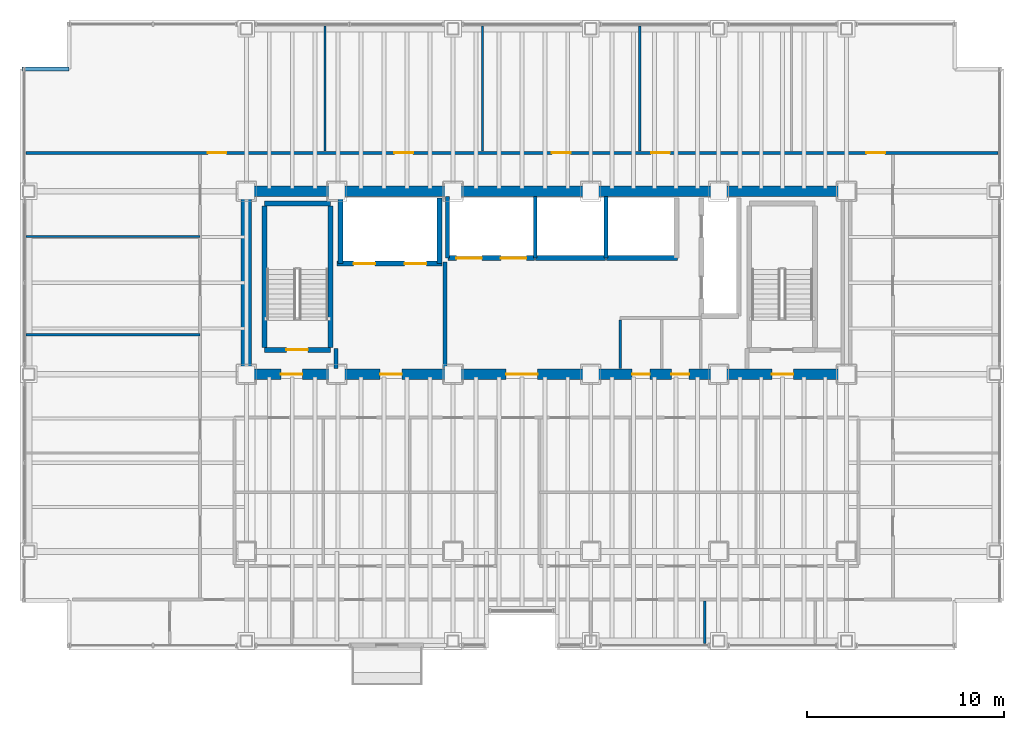
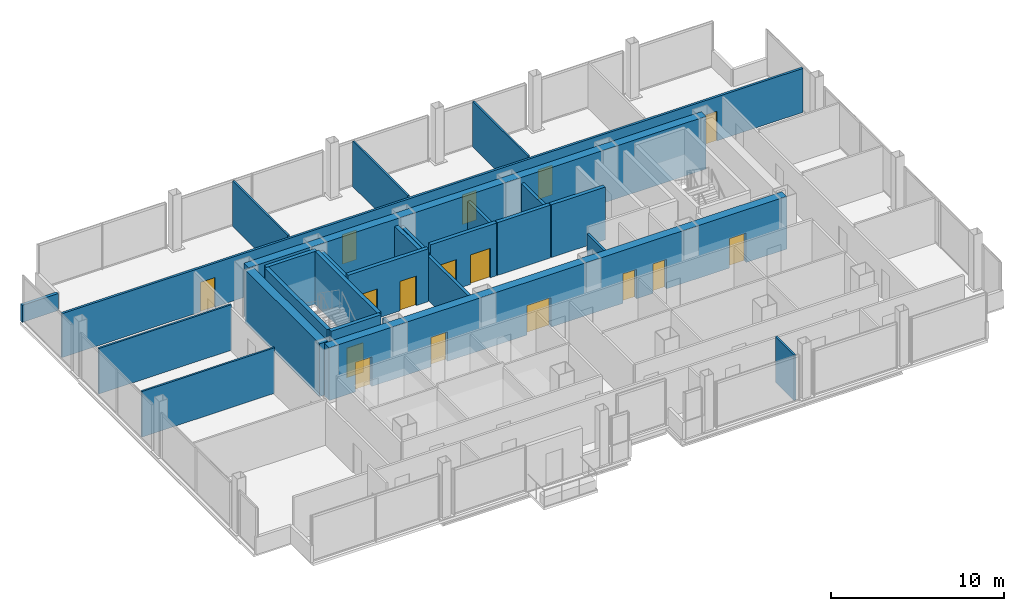
# One storey, part 19 of 21: 27 walls, 16 doors, 16 openings.
"""IFC4 building model written with IfcOpenShell, lengths in metres."""

from ifc_helpers import new_model, si_unit, direction, frame, frame_2d, origin, place, context, subcontext, project, spatial, rectangle, extrude, material, layer, layer_set, type_object, element, fill, save


model = new_model("IFC4")

# Units and contexts
model_context = context("Model", 3, precision=1e-05, world=origin(), true_north=direction((0.0, 1.0)))
body_context = subcontext(model_context, "Body", "Model", "MODEL_VIEW")
ifc_project = project(units=[si_unit("LENGTHUNIT", "METRE"), si_unit("AREAUNIT", "SQUARE_METRE"), si_unit("VOLUMEUNIT", "CUBIC_METRE"), si_unit("PLANEANGLEUNIT", "RADIAN"), si_unit("MASSUNIT", "GRAM", prefix="KILO")], contexts=[model_context])

# Site, building, storey
site_placement = place(None, origin())
site = spatial("IfcSite", under=ifc_project, at=site_placement, CompositionType="ELEMENT")
building_placement = place(site_placement, origin())
building = spatial("IfcBuilding", under=site, at=building_placement, Name="Noeulbin Bourse Tower", CompositionType="ELEMENT")
storey_placement = place(building_placement, frame((0.0, 0.0, 30.39990234375)))
storey = spatial("IfcBuildingStorey", under=building, at=storey_placement, Name="L07", CompositionType="ELEMENT", Elevation=30.39990234375)

# Wall, openings, doors
ifc_material_1 = material(Name="Concrete C60/75", Category="concrete")
ifc_layer_1 = layer(ifc_material_1, 0.550048828125)
ifc_layer_set_1 = layer_set([ifc_layer_1], Name="Concrete C60/75")
wall_type_1 = type_object("IfcWallType", Name="WAL-CORE-550", PredefinedType="SHEAR", material=ifc_layer_set_1)
wall_1_placement = place(storey_placement, frame((13.5, 29.0, 0.0), z_axis=(0.0, 0.0, 1.0), x_axis=(1.0, 0.0, 0.0)))
wall_1 = element("IfcWall", 1, at=wall_1_placement, inside=storey, type_object=wall_type_1, Name="Rear Core South Shear Wall L07", PredefinedType="SHEAR", context=body_context, shape_type="SweptSolid", body=[
    extrude(rectangle(XDim=30.5, YDim=0.550048828125, at=frame_2d((15.25, 0.0))), origin(), (0.0, 0.0, 1.0), 3.72021484375),
])
opening_1_placement = place(wall_1_placement, frame((1.75, 0.0, 0.0)))
opening_1 = element("IfcOpeningElement", 2, at=opening_1_placement, cuts=wall_1, Name="Opening FD-11", PredefinedType="OPENING", context=body_context, shape_type="SweptSolid", body=[
    extrude(rectangle(XDim=1.10009765625, YDim=2.080078125, at=frame_2d((0.550048828125, 1.0400390625))), frame((0.0, 0.284912109375, 0.0), z_axis=(0.0, -1.0, 0.0), x_axis=(1.0, 0.0, 0.0)), (0.0, 0.0, 1.0), 0.570068359375),
])
opening_2_placement = place(wall_1_placement, frame((26.699951171875, 0.0, 0.0)))
opening_2 = element("IfcOpeningElement", 3, at=opening_2_placement, cuts=wall_1, Name="Opening FD-11", PredefinedType="OPENING", context=body_context, shape_type="SweptSolid", body=[
    extrude(rectangle(XDim=1.10009765625, YDim=2.080078125, at=frame_2d((0.550048828125, 1.0400390625))), frame((0.0, 0.284912109375, 0.0), z_axis=(0.0, -1.0, 0.0), x_axis=(1.0, 0.0, 0.0)), (0.0, 0.0, 1.0), 0.570068359375),
])
opening_3_placement = place(wall_1_placement, frame((6.800048828125, 0.0, 0.0)))
opening_3 = element("IfcOpeningElement", 4, at=opening_3_placement, cuts=wall_1, Name="Opening FD-11", PredefinedType="OPENING", context=body_context, shape_type="SweptSolid", body=[
    extrude(rectangle(XDim=1.10009765625, YDim=2.080078125, at=frame_2d((0.550048828125, 1.0400390625))), frame((0.0, 0.284912109375, 0.0), z_axis=(0.0, -1.0, 0.0), x_axis=(1.0, 0.0, 0.0)), (0.0, 0.0, 1.0), 0.570068359375),
])
opening_4_placement = place(wall_1_placement, frame((13.199951171875, 0.0, 0.0)))
opening_4 = element("IfcOpeningElement", 5, at=opening_4_placement, cuts=wall_1, Name="Opening ID-16", PredefinedType="OPENING", context=body_context, shape_type="SweptSolid", body=[
    extrude(rectangle(XDim=1.60009765625, YDim=2.080078125, at=frame_2d((0.800048828125, 1.0400390625))), frame((0.0, 0.284912109375, 0.0), z_axis=(0.0, -1.0, 0.0), x_axis=(1.0, 0.0, 0.0)), (0.0, 0.0, 1.0), 0.570068359375),
])
opening_5_placement = place(wall_1_placement, frame((19.60009765625, 0.0, 0.0)))
opening_5 = element("IfcOpeningElement", 6, at=opening_5_placement, cuts=wall_1, Name="Opening FD-09", PredefinedType="OPENING", context=body_context, shape_type="SweptSolid", body=[
    extrude(rectangle(XDim=0.89990234375, YDim=2.080078125, at=frame_2d((0.449951171875, 1.0400390625))), frame((0.0, 0.284912109375, 0.0), z_axis=(0.0, -1.0, 0.0), x_axis=(1.0, 0.0, 0.0)), (0.0, 0.0, 1.0), 0.570068359375),
])
opening_6_placement = place(wall_1_placement, frame((21.60009765625, 0.0, 0.0)))
opening_6 = element("IfcOpeningElement", 7, at=opening_6_placement, cuts=wall_1, Name="Opening FD-09", PredefinedType="OPENING", context=body_context, shape_type="SweptSolid", body=[
    extrude(rectangle(XDim=0.89990234375, YDim=2.080078125, at=frame_2d((0.449951171875, 1.0400390625))), frame((0.0, 0.284912109375, 0.0), z_axis=(0.0, -1.0, 0.0), x_axis=(1.0, 0.0, 0.0)), (0.0, 0.0, 1.0), 0.570068359375),
])
ifc_material_2 = material(Name="Acoustic Glazed Aluminium", Category="aluminium")
door_type_1 = type_object("IfcDoorType", Name="DR-DBL-1600", OperationType="DOUBLE_DOOR_SINGLE_SWING", PredefinedType="DOOR", material=ifc_material_2)
door_1_placement = place(opening_4_placement, origin())
door_1 = element("IfcDoor", 8, at=door_1_placement, inside=storey, type_object=door_type_1, Name="Passenger Lift Lobby Portal L07", OperationType="DOUBLE_DOOR_SINGLE_SWING", OverallHeight=2.080078125, OverallWidth=1.60009765625, PredefinedType="DOOR", context=body_context, shape_type="SweptSolid", body=[
    extrude(rectangle(XDim=1.60009765625, YDim=2.080078125, at=frame_2d((0.800048828125, 1.0400390625))), frame((0.0, 0.02490234375, 0.0), z_axis=(0.0, -1.0, 0.0), x_axis=(1.0, 0.0, 0.0)), (0.0, 0.0, 1.0), 0.050048828125),
])
fill(opening_4, door_1)
ifc_material_3 = material(Name="Fire-Rated Timber Core", Category="wood")
door_type_2 = type_object("IfcDoorType", Name="DR-FD30-900", OperationType="SINGLE_SWING_RIGHT", PredefinedType="DOOR", material=ifc_material_3)
door_2_placement = place(opening_5_placement, origin())
door_2 = element("IfcDoor", 9, at=door_2_placement, inside=storey, type_object=door_type_2, Name="Interior Door L07-05", OperationType="SINGLE_SWING_LEFT", OverallHeight=2.080078125, OverallWidth=0.89990234375, PredefinedType="DOOR", context=body_context, shape_type="SweptSolid", body=[
    extrude(rectangle(XDim=0.89990234375, YDim=2.080078125, at=frame_2d((0.449951171875, 1.0400390625))), frame((0.0, 0.02490234375, 0.0), z_axis=(0.0, -1.0, 0.0), x_axis=(1.0, 0.0, 0.0)), (0.0, 0.0, 1.0), 0.050048828125),
])
fill(opening_5, door_2)
door_3_placement = place(opening_6_placement, origin())
door_3 = element("IfcDoor", 10, at=door_3_placement, inside=storey, type_object=door_type_2, Name="Interior Door L07-06", OperationType="SINGLE_SWING_RIGHT", OverallHeight=2.080078125, OverallWidth=0.89990234375, PredefinedType="DOOR", context=body_context, shape_type="SweptSolid", body=[
    extrude(rectangle(XDim=0.89990234375, YDim=2.080078125, at=frame_2d((0.449951171875, 1.0400390625))), frame((0.0, 0.02490234375, 0.0), z_axis=(0.0, -1.0, 0.0), x_axis=(1.0, 0.0, 0.0)), (0.0, 0.0, 1.0), 0.050048828125),
])
fill(opening_6, door_3)
ifc_material_4 = material(Name="Fire-Rated Insulated Steel", Category="steel")
door_type_3 = type_object("IfcDoorType", Name="DR-FD60-1100", OperationType="SINGLE_SWING_LEFT", PredefinedType="DOOR", material=ifc_material_4)
door_4_placement = place(opening_1_placement, origin())
door_4 = element("IfcDoor", 11, at=door_4_placement, inside=storey, type_object=door_type_3, Name="West Stair Lobby Door L07", OperationType="SINGLE_SWING_LEFT", OverallHeight=2.080078125, OverallWidth=1.10009765625, PredefinedType="DOOR", context=body_context, shape_type="SweptSolid", body=[
    extrude(rectangle(XDim=1.10009765625, YDim=2.080078125, at=frame_2d((0.550048828125, 1.0400390625))), frame((0.0, 0.02490234375, 0.0), z_axis=(0.0, -1.0, 0.0), x_axis=(1.0, 0.0, 0.0)), (0.0, 0.0, 1.0), 0.050048828125),
])
fill(opening_1, door_4)
door_5_placement = place(opening_2_placement, origin())
door_5 = element("IfcDoor", 12, at=door_5_placement, inside=storey, type_object=door_type_3, Name="East Stair Lobby Door L07", OperationType="SINGLE_SWING_RIGHT", OverallHeight=2.080078125, OverallWidth=1.10009765625, PredefinedType="DOOR", context=body_context, shape_type="SweptSolid", body=[
    extrude(rectangle(XDim=1.10009765625, YDim=2.080078125, at=frame_2d((0.550048828125, 1.0400390625))), frame((0.0, 0.02490234375, 0.0), z_axis=(0.0, -1.0, 0.0), x_axis=(1.0, 0.0, 0.0)), (0.0, 0.0, 1.0), 0.050048828125),
])
fill(opening_2, door_5)
door_6_placement = place(opening_3_placement, origin())
door_6 = element("IfcDoor", 13, at=door_6_placement, inside=storey, type_object=door_type_3, Name="Firefighting Lobby Door L07", OperationType="SINGLE_SWING_LEFT", OverallHeight=2.080078125, OverallWidth=1.10009765625, PredefinedType="DOOR", context=body_context, shape_type="SweptSolid", body=[
    extrude(rectangle(XDim=1.10009765625, YDim=2.080078125, at=frame_2d((0.550048828125, 1.0400390625))), frame((0.0, 0.02490234375, 0.0), z_axis=(0.0, -1.0, 0.0), x_axis=(1.0, 0.0, 0.0)), (0.0, 0.0, 1.0), 0.050048828125),
])
fill(opening_3, door_6)

# Walls
wall_2_placement = place(storey_placement, frame((13.5, 38.300048828125, 0.0), z_axis=(0.0, 0.0, 1.0), x_axis=(1.0, 0.0, 0.0)))
element("IfcWall", 14, at=wall_2_placement, inside=storey, type_object=wall_type_1, Name="Rear Core North Shear Wall L07", PredefinedType="SHEAR", context=body_context, shape_type="SweptSolid", body=[
    extrude(rectangle(XDim=30.5, YDim=0.550048828125, at=frame_2d((15.25, 0.0))), origin(), (0.0, 0.0, 1.0), 3.72021484375),
])
wall_3_placement = place(storey_placement, frame((13.5, 29.35009765625, 0.0), z_axis=(0.0, 0.0, 1.0), x_axis=(0.0, 1.0, 0.0)))
element("IfcWall", 15, at=wall_3_placement, inside=storey, type_object=wall_type_1, Name="Rear Core West Shear Wall L07", PredefinedType="SHEAR", context=body_context, shape_type="SweptSolid", body=[
    extrude(rectangle(XDim=8.599853515625, YDim=0.550048828125, at=frame_2d((4.2998046875, 0.0))), origin(), (0.0, 0.0, 1.0), 3.72021484375),
])
ifc_material_5 = material(Name="Concrete C40/50", Category="concrete")
ifc_layer_2 = layer(ifc_material_5, 0.199951171875)
ifc_layer_set_2 = layer_set([ifc_layer_2], Name="Concrete C40/50")
wall_type_2 = type_object("IfcWallType", Name="WAL-FIRE-200", PredefinedType="STANDARD", material=ifc_layer_set_2)
wall_4_placement = place(storey_placement, frame((18.050048828125, 29.284912109375, 0.0), z_axis=(0.0, 0.0, 1.0), x_axis=(0.0, 1.0, 0.0)))
element("IfcWall", 16, at=wall_4_placement, inside=storey, type_object=wall_type_2, Name="Interior Partition Wall L07-20", PredefinedType="STANDARD", context=body_context, shape_type="SweptSolid", body=[
    extrude(rectangle(XDim=1.01513671875, YDim=0.199951171875, at=frame_2d((0.507568359375, 0.0))), origin(), (0.0, 0.0, 1.0), 3.300048828125),
])
wall_5_placement = place(storey_placement, frame((23.60009765625, 29.284912109375, 0.0), z_axis=(0.0, 0.0, 1.0), x_axis=(0.0, 1.0, 0.0)))
element("IfcWall", 17, at=wall_5_placement, inside=storey, type_object=wall_type_2, Name="Interior Partition Wall L07-22", PredefinedType="STANDARD", context=body_context, shape_type="SweptSolid", body=[
    extrude(rectangle(XDim=5.4150390625, YDim=0.199951171875, at=frame_2d((2.70751953125, 0.0))), origin(), (0.0, 0.0, 1.0), 3.10009765625),
])
ifc_layer_3 = layer(ifc_material_5, 0.199951171875)
ifc_layer_set_3 = layer_set([ifc_layer_3], Name="Concrete C40/50")
wall_type_3 = type_object("IfcWallType", Name="WAL-PAR-200", PredefinedType="PARAPET", material=ifc_layer_set_3)
wall_6_placement = place(storey_placement, frame((2.10009765625, 44.5, 0.0), z_axis=(0.0, 0.0, 1.0), x_axis=(1.0, 0.0, 0.0)))
element("IfcWall", 18, at=wall_6_placement, inside=storey, type_object=wall_type_3, Name="Corner Notch Parapet L07-NW1", PredefinedType="PARAPET", context=body_context, shape_type="SweptSolid", body=[
    extrude(rectangle(XDim=2.39990234375, YDim=0.199951171875, at=frame_2d((1.199951171875, 0.0))), origin(), (0.0, 0.0, 1.0), 1.2001953125),
])
ifc_material_6 = material(Name="Steel Stud Gypsum Partition", Category="steel")
ifc_layer_4 = layer(ifc_material_6, 0.1201171875)
ifc_layer_set_4 = layer_set([ifc_layer_4], Name="Steel Stud Gypsum Partition")
wall_type_4 = type_object("IfcWallType", Name="WAL-PRT-120", PredefinedType="PARTITIONING", material=ifc_layer_set_4)
for number, where, z_axis, x_axis, name in (
    (19, (2.31005859375, 31.0, 0.0), (0.0, 0.0, 1.0), (1.0, 0.0, 0.0), "Interior Partition Wall L07-14"),
    (20, (2.31005859375, 36.0, 0.0), (0.0, 0.0, 1.0), (1.0, 0.0, 0.0), "Interior Partition Wall L07-15"),
):
    element("IfcWall", number, at=place(storey_placement, frame(where, z_axis=z_axis, x_axis=x_axis)), inside=storey, type_object=wall_type_4, Name=name, PredefinedType="PARTITIONING", context=body_context, shape_type="SweptSolid", body=[
        extrude(rectangle(XDim=8.83984375, YDim=0.1201171875, at=frame_2d((4.419921875, 0.0))), origin(), (0.0, 0.0, 1.0), 3.212158203125),
    ])
wall_7_placement = place(storey_placement, frame((36.800048828125, 15.31005859375, 0.0), z_axis=(0.0, 0.0, 1.0), x_axis=(0.0, 1.0, 0.0)))
element("IfcWall", 21, at=wall_7_placement, inside=storey, type_object=wall_type_4, Name="Interior Partition Wall L07-35", PredefinedType="PARTITIONING", context=body_context, shape_type="SweptSolid", body=[
    extrude(rectangle(XDim=2.155029296875, YDim=0.1201171875, at=frame_2d((1.07763671875, 0.0))), origin(), (0.0, 0.0, 1.0), 3.212158203125),
])
for number, where, z_axis, x_axis, name in (
    (22, (17.5, 40.3349609375, 0.0), (0.0, 0.0, 1.0), (0.0, 1.0, 0.0), "Interior Partition Wall L07-41"),
    (23, (25.5, 40.3349609375, 0.0), (0.0, 0.0, 1.0), (0.0, 1.0, 0.0), "Interior Partition Wall L07-42"),
    (24, (33.5, 40.3349609375, 0.0), (0.0, 0.0, 1.0), (0.0, 1.0, 0.0), "Interior Partition Wall L07-43"),
):
    element("IfcWall", number, at=place(storey_placement, frame(where, z_axis=z_axis, x_axis=x_axis)), inside=storey, type_object=wall_type_4, Name=name, PredefinedType="PARTITIONING", context=body_context, shape_type="SweptSolid", body=[
        extrude(rectangle(XDim=6.35498046875, YDim=0.1201171875, at=frame_2d((3.177490234375, 0.0))), origin(), (0.0, 0.0, 1.0), 3.212158203125),
    ])

# Wall, openings, doors
ifc_material_7 = material(Name="Steel Stud Acoustic Gypsum Board", Category="steel")
ifc_layer_5 = layer(ifc_material_7, 0.14990234375)
ifc_layer_set_5 = layer_set([ifc_layer_5], Name="Steel Stud Acoustic Gypsum Board")
wall_type_5 = type_object("IfcWallType", Name="WAL-PRT-150", PredefinedType="PARTITIONING", material=ifc_layer_set_5)
wall_8_placement = place(storey_placement, frame((2.31005859375, 40.25, 0.0), z_axis=(0.0, 0.0, 1.0), x_axis=(1.0, 0.0, 0.0)))
wall_8 = element("IfcWall", 25, at=wall_8_placement, inside=storey, type_object=wall_type_5, Name="Interior Partition Wall L07-19", PredefinedType="PARTITIONING", context=body_context, shape_type="SweptSolid", body=[
    extrude(rectangle(XDim=49.3798828125, YDim=0.14990234375, at=frame_2d((24.68994140625, 0.0))), origin(), (0.0, 0.0, 1.0), 3.10009765625),
])
opening_7_placement = place(wall_8_placement, frame((9.22998046875, 0.0, 0.0)))
opening_7 = element("IfcOpeningElement", 26, at=opening_7_placement, cuts=wall_8, Name="Opening ID-09", PredefinedType="OPENING", context=body_context, shape_type="SweptSolid", body=[
    extrude(rectangle(XDim=0.949951171875, YDim=2.080078125, at=frame_2d((0.47509765625, 1.0400390625))), frame((0.0, 0.0849609375, 0.0), z_axis=(0.0, -1.0, 0.0), x_axis=(1.0, 0.0, 0.0)), (0.0, 0.0, 1.0), 0.169921875),
])
opening_8_placement = place(wall_8_placement, frame((18.715087890625, 0.0, 0.0)))
opening_8 = element("IfcOpeningElement", 27, at=opening_8_placement, cuts=wall_8, Name="Opening ID-09", PredefinedType="OPENING", context=body_context, shape_type="SweptSolid", body=[
    extrude(rectangle(XDim=0.949951171875, YDim=2.080078125, at=frame_2d((0.47509765625, 1.0400390625))), frame((0.0, 0.0849609375, 0.0), z_axis=(0.0, -1.0, 0.0), x_axis=(1.0, 0.0, 0.0)), (0.0, 0.0, 1.0), 0.169921875),
])
opening_9_placement = place(wall_8_placement, frame((26.715087890625, 0.0, 0.0)))
opening_9 = element("IfcOpeningElement", 28, at=opening_9_placement, cuts=wall_8, Name="Opening ID-09", PredefinedType="OPENING", context=body_context, shape_type="SweptSolid", body=[
    extrude(rectangle(XDim=0.949951171875, YDim=2.080078125, at=frame_2d((0.47509765625, 1.0400390625))), frame((0.0, 0.0849609375, 0.0), z_axis=(0.0, -1.0, 0.0), x_axis=(1.0, 0.0, 0.0)), (0.0, 0.0, 1.0), 0.169921875),
])
opening_10_placement = place(wall_8_placement, frame((31.764892578125, 0.0, 0.0)))
opening_10 = element("IfcOpeningElement", 29, at=opening_10_placement, cuts=wall_8, Name="Opening ID-09", PredefinedType="OPENING", context=body_context, shape_type="SweptSolid", body=[
    extrude(rectangle(XDim=0.949951171875, YDim=2.080078125, at=frame_2d((0.47509765625, 1.0400390625))), frame((0.0, 0.0849609375, 0.0), z_axis=(0.0, -1.0, 0.0), x_axis=(1.0, 0.0, 0.0)), (0.0, 0.0, 1.0), 0.169921875),
])
opening_11_placement = place(wall_8_placement, frame((42.699951171875, 0.0, 0.0)))
opening_11 = element("IfcOpeningElement", 30, at=opening_11_placement, cuts=wall_8, Name="Opening ID-09", PredefinedType="OPENING", context=body_context, shape_type="SweptSolid", body=[
    extrude(rectangle(XDim=0.949951171875, YDim=2.080078125, at=frame_2d((0.47509765625, 1.0400390625))), frame((0.0, 0.0849609375, 0.0), z_axis=(0.0, -1.0, 0.0), x_axis=(1.0, 0.0, 0.0)), (0.0, 0.0, 1.0), 0.169921875),
])
ifc_material_8 = material(Name="Acoustic Solid-Core Timber", Category="wood")
door_type_4 = type_object("IfcDoorType", Name="DR-SINGLE-950", OperationType="SINGLE_SWING_LEFT", PredefinedType="DOOR", material=ifc_material_8)
door_7_placement = place(opening_7_placement, origin())
door_7 = element("IfcDoor", 31, at=door_7_placement, inside=storey, type_object=door_type_4, Name="Interior Door L07-34", OperationType="SINGLE_SWING_RIGHT", OverallHeight=2.080078125, OverallWidth=0.949951171875, PredefinedType="DOOR", context=body_context, shape_type="SweptSolid", body=[
    extrude(rectangle(XDim=0.949951171875, YDim=2.080078125, at=frame_2d((0.47509765625, 1.0400390625))), frame((0.0, 0.02490234375, 0.0), z_axis=(0.0, -1.0, 0.0), x_axis=(1.0, 0.0, 0.0)), (0.0, 0.0, 1.0), 0.050048828125),
])
fill(opening_7, door_7)
door_8_placement = place(opening_8_placement, origin())
door_8 = element("IfcDoor", 32, at=door_8_placement, inside=storey, type_object=door_type_4, Name="Interior Door L07-35", OperationType="SINGLE_SWING_LEFT", OverallHeight=2.080078125, OverallWidth=0.949951171875, PredefinedType="DOOR", context=body_context, shape_type="SweptSolid", body=[
    extrude(rectangle(XDim=0.949951171875, YDim=2.080078125, at=frame_2d((0.47509765625, 1.0400390625))), frame((0.0, 0.02490234375, 0.0), z_axis=(0.0, -1.0, 0.0), x_axis=(1.0, 0.0, 0.0)), (0.0, 0.0, 1.0), 0.050048828125),
])
fill(opening_8, door_8)
door_9_placement = place(opening_9_placement, origin())
door_9 = element("IfcDoor", 33, at=door_9_placement, inside=storey, type_object=door_type_4, Name="Interior Door L07-36", OperationType="SINGLE_SWING_RIGHT", OverallHeight=2.080078125, OverallWidth=0.949951171875, PredefinedType="DOOR", context=body_context, shape_type="SweptSolid", body=[
    extrude(rectangle(XDim=0.949951171875, YDim=2.080078125, at=frame_2d((0.47509765625, 1.0400390625))), frame((0.0, 0.02490234375, 0.0), z_axis=(0.0, -1.0, 0.0), x_axis=(1.0, 0.0, 0.0)), (0.0, 0.0, 1.0), 0.050048828125),
])
fill(opening_9, door_9)
door_10_placement = place(opening_10_placement, origin())
door_10 = element("IfcDoor", 34, at=door_10_placement, inside=storey, type_object=door_type_4, Name="Interior Door L07-37", OperationType="SINGLE_SWING_LEFT", OverallHeight=2.080078125, OverallWidth=0.949951171875, PredefinedType="DOOR", context=body_context, shape_type="SweptSolid", body=[
    extrude(rectangle(XDim=0.949951171875, YDim=2.080078125, at=frame_2d((0.47509765625, 1.0400390625))), frame((0.0, 0.02490234375, 0.0), z_axis=(0.0, -1.0, 0.0), x_axis=(1.0, 0.0, 0.0)), (0.0, 0.0, 1.0), 0.050048828125),
])
fill(opening_10, door_10)
door_11_placement = place(opening_11_placement, origin())
door_11 = element("IfcDoor", 35, at=door_11_placement, inside=storey, type_object=door_type_4, Name="Interior Door L07-38", OperationType="SINGLE_SWING_RIGHT", OverallHeight=2.080078125, OverallWidth=0.949951171875, PredefinedType="DOOR", context=body_context, shape_type="SweptSolid", body=[
    extrude(rectangle(XDim=0.949951171875, YDim=2.080078125, at=frame_2d((0.47509765625, 1.0400390625))), frame((0.0, 0.02490234375, 0.0), z_axis=(0.0, -1.0, 0.0), x_axis=(1.0, 0.0, 0.0)), (0.0, 0.0, 1.0), 0.050048828125),
])
fill(opening_11, door_11)

# Wall
wall_9_placement = place(storey_placement, frame((32.5, 29.284912109375, 0.0), z_axis=(0.0, 0.0, 1.0), x_axis=(0.0, 1.0, 0.0)))
element("IfcWall", 36, at=wall_9_placement, inside=storey, type_object=wall_type_5, Name="Interior Partition Wall L07-23", PredefinedType="PARTITIONING", context=body_context, shape_type="SweptSolid", body=[
    extrude(rectangle(XDim=2.47998046875, YDim=0.14990234375, at=frame_2d((1.239990234375, 0.0))), origin(), (0.0, 0.0, 1.0), 3.300048828125),
])

# Wall, opening, door
ifc_layer_6 = layer(ifc_material_5, 0.25)
ifc_layer_set_6 = layer_set([ifc_layer_6], Name="Concrete C40/50")
wall_type_6 = type_object("IfcWallType", Name="WAL-SHFT-250", PredefinedType="STANDARD", material=ifc_layer_set_6)
wall_10_placement = place(storey_placement, frame((14.429931640625, 30.235107421875, 0.0), z_axis=(0.0, 0.0, 1.0), x_axis=(1.0, 0.0, 0.0)))
wall_10 = element("IfcWall", 37, at=wall_10_placement, inside=storey, type_object=wall_type_6, Name="Stair ST-1 South Shaft Wall L07", PredefinedType="STANDARD", context=body_context, shape_type="SweptSolid", body=[
    extrude(rectangle(XDim=3.340087890625, YDim=0.25, at=frame_2d((1.669921875, 0.0))), origin(), (0.0, 0.0, 1.0), 3.72021484375),
])
opening_12_placement = place(wall_10_placement, frame((1.10009765625, 0.0, 0.0)))
opening_12 = element("IfcOpeningElement", 38, at=opening_12_placement, cuts=wall_10, Name="Opening FD-11", PredefinedType="OPENING", context=body_context, shape_type="SweptSolid", body=[
    extrude(rectangle(XDim=1.10009765625, YDim=2.080078125, at=frame_2d((0.550048828125, 1.0400390625))), frame((0.0, 0.135009765625, 0.0), z_axis=(0.0, -1.0, 0.0), x_axis=(1.0, 0.0, 0.0)), (0.0, 0.0, 1.0), 0.27001953125),
])
door_12_placement = place(opening_12_placement, origin())
door_12 = element("IfcDoor", 39, at=door_12_placement, inside=storey, type_object=door_type_3, Name="Protected Stair Entry Door ST1-L07", OperationType="SINGLE_SWING_LEFT", OverallHeight=2.080078125, OverallWidth=1.10009765625, PredefinedType="DOOR", context=body_context, shape_type="SweptSolid", body=[
    extrude(rectangle(XDim=1.10009765625, YDim=2.080078125, at=frame_2d((0.550048828125, 1.0400390625))), frame((0.0, 0.02490234375, 0.0), z_axis=(0.0, -1.0, 0.0), x_axis=(1.0, 0.0, 0.0)), (0.0, 0.0, 1.0), 0.050048828125),
])
fill(opening_12, door_12)

# Walls
wall_11_placement = place(storey_placement, frame((14.429931640625, 37.6689453125, 0.0), z_axis=(0.0, 0.0, 1.0), x_axis=(1.0, 0.0, 0.0)))
element("IfcWall", 40, at=wall_11_placement, inside=storey, type_object=wall_type_6, Name="Stair ST-1 North Shaft Wall L07", PredefinedType="STANDARD", context=body_context, shape_type="SweptSolid", body=[
    extrude(rectangle(XDim=3.340087890625, YDim=0.25, at=frame_2d((1.669921875, 0.0))), origin(), (0.0, 0.0, 1.0), 3.72021484375),
])
for number, where, z_axis, x_axis, name in (
    (41, (14.425048828125, 30.360107421875, 0.0), (0.0, 0.0, 1.0), (0.0, 1.0, 0.0), "Stair ST-1 West Shaft Wall L07"),
    (42, (17.77490234375, 30.360107421875, 0.0), (0.0, 0.0, 1.0), (0.0, 1.0, 0.0), "Stair ST-1 East Shaft Wall L07"),
):
    element("IfcWall", number, at=place(storey_placement, frame(where, z_axis=z_axis, x_axis=x_axis)), inside=storey, type_object=wall_type_6, Name=name, PredefinedType="STANDARD", context=body_context, shape_type="SweptSolid", body=[
        extrude(rectangle(XDim=7.183837890625, YDim=0.25, at=frame_2d((3.591796875, 0.0))), origin(), (0.0, 0.0, 1.0), 3.72021484375),
    ])

# Wall, openings, doors
wall_12_placement = place(storey_placement, frame((18.10009765625, 34.6201171875, 0.0), z_axis=(0.0, 0.0, 1.0), x_axis=(1.0, 0.0, 0.0)))
wall_12 = element("IfcWall", 43, at=wall_12_placement, inside=storey, type_object=wall_type_6, Name="Firefighting Lift Shaft Front L07", PredefinedType="STANDARD", context=body_context, shape_type="SweptSolid", body=[
    extrude(rectangle(XDim=5.349853515625, YDim=0.25, at=frame_2d((2.6748046875, 0.0))), origin(), (0.0, 0.0, 1.0), 3.72021484375),
])
opening_13_placement = place(wall_12_placement, frame((0.85009765625, 0.0, 0.0)))
opening_13 = element("IfcOpeningElement", 44, at=opening_13_placement, cuts=wall_12, Name="Opening LD-11", PredefinedType="OPENING", context=body_context, shape_type="SweptSolid", body=[
    extrude(rectangle(XDim=1.10009765625, YDim=2.080078125, at=frame_2d((0.550048828125, 1.0400390625))), frame((0.0, 0.135009765625, 0.0), z_axis=(0.0, -1.0, 0.0), x_axis=(1.0, 0.0, 0.0)), (0.0, 0.0, 1.0), 0.27001953125),
])
opening_14_placement = place(wall_12_placement, frame((3.449951171875, 0.0, 0.0)))
opening_14 = element("IfcOpeningElement", 45, at=opening_14_placement, cuts=wall_12, Name="Opening LD-11", PredefinedType="OPENING", context=body_context, shape_type="SweptSolid", body=[
    extrude(rectangle(XDim=1.10009765625, YDim=2.080078125, at=frame_2d((0.550048828125, 1.0400390625))), frame((0.0, 0.135009765625, 0.0), z_axis=(0.0, -1.0, 0.0), x_axis=(1.0, 0.0, 0.0)), (0.0, 0.0, 1.0), 0.27001953125),
])
ifc_material_9 = material(Name="Brushed Stainless Steel 316", Category="steel")
door_type_5 = type_object("IfcDoorType", Name="DR-LIFT-1100", OperationType="SLIDING_TO_LEFT", PredefinedType="DOOR", material=ifc_material_9)
door_13_placement = place(opening_13_placement, origin())
door_13 = element("IfcDoor", 46, at=door_13_placement, inside=storey, type_object=door_type_5, Name="Lift Landing Door LD-FL-01-L07", OperationType="SLIDING_TO_LEFT", OverallHeight=2.080078125, OverallWidth=1.10009765625, PredefinedType="DOOR", context=body_context, shape_type="SweptSolid", body=[
    extrude(rectangle(XDim=1.10009765625, YDim=2.080078125, at=frame_2d((0.550048828125, 1.0400390625))), frame((0.0, 0.02490234375, 0.0), z_axis=(0.0, -1.0, 0.0), x_axis=(1.0, 0.0, 0.0)), (0.0, 0.0, 1.0), 0.050048828125),
])
fill(opening_13, door_13)
door_14_placement = place(opening_14_placement, origin())
door_14 = element("IfcDoor", 47, at=door_14_placement, inside=storey, type_object=door_type_5, Name="Lift Landing Door LD-FL-02-L07", OperationType="SLIDING_TO_LEFT", OverallHeight=2.080078125, OverallWidth=1.10009765625, PredefinedType="DOOR", context=body_context, shape_type="SweptSolid", body=[
    extrude(rectangle(XDim=1.10009765625, YDim=2.080078125, at=frame_2d((0.550048828125, 1.0400390625))), frame((0.0, 0.02490234375, 0.0), z_axis=(0.0, -1.0, 0.0), x_axis=(1.0, 0.0, 0.0)), (0.0, 0.0, 1.0), 0.050048828125),
])
fill(opening_14, door_14)

# Walls
for number, where, z_axis, x_axis, name in (
    (48, (18.280029296875, 34.6201171875, 0.0), (0.0, 0.0, 1.0), (0.0, 1.0, 0.0), "Firefighting Lift West Shaft Wall L07"),
    (49, (23.320068359375, 34.6201171875, 0.0), (0.0, 0.0, 1.0), (0.0, 1.0, 0.0), "Firefighting Lift East Shaft Wall L07"),
):
    element("IfcWall", number, at=place(storey_placement, frame(where, z_axis=z_axis, x_axis=x_axis)), inside=storey, type_object=wall_type_6, Name=name, PredefinedType="STANDARD", context=body_context, shape_type="SweptSolid", body=[
        extrude(rectangle(XDim=3.329833984375, YDim=0.25, at=frame_2d((1.6650390625, 0.0))), origin(), (0.0, 0.0, 1.0), 3.300048828125),
    ])

# Wall, openings, doors
wall_13_placement = place(storey_placement, frame((23.75, 34.89990234375, 0.0), z_axis=(0.0, 0.0, 1.0), x_axis=(1.0, 0.0, 0.0)))
wall_13 = element("IfcWall", 50, at=wall_13_placement, inside=storey, type_object=wall_type_6, Name="Low-Rise Lift Bank Front L07", PredefinedType="STANDARD", context=body_context, shape_type="SweptSolid", body=[
    extrude(rectangle(XDim=4.39990234375, YDim=0.25, at=frame_2d((2.199951171875, 0.0))), origin(), (0.0, 0.0, 1.0), 3.72021484375),
])
opening_15_placement = place(wall_13_placement, frame((0.419921875, 0.0, 0.0)))
opening_15 = element("IfcOpeningElement", 51, at=opening_15_placement, cuts=wall_13, Name="Opening LD-13", PredefinedType="OPENING", context=body_context, shape_type="SweptSolid", body=[
    extrude(rectangle(XDim=1.300048828125, YDim=2.080078125, at=frame_2d((0.64990234375, 1.0400390625))), frame((0.0, 0.135009765625, 0.0), z_axis=(0.0, -1.0, 0.0), x_axis=(1.0, 0.0, 0.0)), (0.0, 0.0, 1.0), 0.27001953125),
])
opening_16_placement = place(wall_13_placement, frame((2.679931640625, 0.0, 0.0)))
opening_16 = element("IfcOpeningElement", 52, at=opening_16_placement, cuts=wall_13, Name="Opening LD-13", PredefinedType="OPENING", context=body_context, shape_type="SweptSolid", body=[
    extrude(rectangle(XDim=1.300048828125, YDim=2.080078125, at=frame_2d((0.64990234375, 1.0400390625))), frame((0.0, 0.135009765625, 0.0), z_axis=(0.0, -1.0, 0.0), x_axis=(1.0, 0.0, 0.0)), (0.0, 0.0, 1.0), 0.27001953125),
])
door_type_6 = type_object("IfcDoorType", Name="DR-LIFT-1300", OperationType="DOUBLE_DOOR_SLIDING", PredefinedType="DOOR", material=ifc_material_9)
door_15_placement = place(opening_15_placement, origin())
door_15 = element("IfcDoor", 53, at=door_15_placement, inside=storey, type_object=door_type_6, Name="Lift Landing Door LD-PL-L1-L07", OperationType="DOUBLE_DOOR_SLIDING", OverallHeight=2.080078125, OverallWidth=1.300048828125, PredefinedType="DOOR", context=body_context, shape_type="SweptSolid", body=[
    extrude(rectangle(XDim=1.300048828125, YDim=2.080078125, at=frame_2d((0.64990234375, 1.0400390625))), frame((0.0, 0.02490234375, 0.0), z_axis=(0.0, -1.0, 0.0), x_axis=(1.0, 0.0, 0.0)), (0.0, 0.0, 1.0), 0.050048828125),
])
fill(opening_15, door_15)
door_16_placement = place(opening_16_placement, origin())
door_16 = element("IfcDoor", 54, at=door_16_placement, inside=storey, type_object=door_type_6, Name="Lift Landing Door LD-PL-L2-L07", OperationType="DOUBLE_DOOR_SLIDING", OverallHeight=2.080078125, OverallWidth=1.300048828125, PredefinedType="DOOR", context=body_context, shape_type="SweptSolid", body=[
    extrude(rectangle(XDim=1.300048828125, YDim=2.080078125, at=frame_2d((0.64990234375, 1.0400390625))), frame((0.0, 0.02490234375, 0.0), z_axis=(0.0, -1.0, 0.0), x_axis=(1.0, 0.0, 0.0)), (0.0, 0.0, 1.0), 0.050048828125),
])
fill(opening_16, door_16)

# Walls
wall_14_placement = place(storey_placement, frame((28.199951171875, 34.89990234375, 0.0), z_axis=(0.0, 0.0, 1.0), x_axis=(1.0, 0.0, 0.0)))
element("IfcWall", 55, at=wall_14_placement, inside=storey, type_object=wall_type_6, Name="Mid-Rise Lift Bank Front L07", PredefinedType="STANDARD", context=body_context, shape_type="SweptSolid", body=[
    extrude(rectangle(XDim=3.550048828125, YDim=0.25, at=frame_2d((1.77490234375, 0.0))), origin(), (0.0, 0.0, 1.0), 3.72021484375),
])
wall_15_placement = place(storey_placement, frame((31.800048828125, 34.89990234375, 0.0), z_axis=(0.0, 0.0, 1.0), x_axis=(1.0, 0.0, 0.0)))
element("IfcWall", 56, at=wall_15_placement, inside=storey, type_object=wall_type_6, Name="High-Rise Lift Bank Front L07", PredefinedType="STANDARD", context=body_context, shape_type="SweptSolid", body=[
    extrude(rectangle(XDim=3.599853515625, YDim=0.25, at=frame_2d((1.7998046875, 0.0))), origin(), (0.0, 0.0, 1.0), 3.72021484375),
])
wall_16_placement = place(storey_placement, frame((23.719970703125, 34.89990234375, 0.0), z_axis=(0.0, 0.0, 1.0), x_axis=(0.0, 1.0, 0.0)))
element("IfcWall", 57, at=wall_16_placement, inside=storey, type_object=wall_type_6, Name="Hoistway Side Shaft Wall L07-PLLW", PredefinedType="STANDARD", context=body_context, shape_type="SweptSolid", body=[
    extrude(rectangle(XDim=3.1201171875, YDim=0.199951171875, at=frame_2d((1.56005859375, 0.0))), origin(), (0.0, 0.0, 1.0), 3.10009765625),
])
for number, where, z_axis, x_axis, name in (
    (58, (28.179931640625, 34.89990234375, 0.0), (0.0, 0.0, 1.0), (0.0, 1.0, 0.0), "Hoistway Side Shaft Wall L07-PLMW"),
    (59, (31.780029296875, 34.89990234375, 0.0), (0.0, 0.0, 1.0), (0.0, 1.0, 0.0), "Hoistway Side Shaft Wall L07-PLHW"),
):
    element("IfcWall", number, at=place(storey_placement, frame(where, z_axis=z_axis, x_axis=x_axis)), inside=storey, type_object=wall_type_6, Name=name, PredefinedType="STANDARD", context=body_context, shape_type="SweptSolid", body=[
        extrude(rectangle(XDim=3.1201171875, YDim=0.199951171875, at=frame_2d((1.56005859375, 0.0))), origin(), (0.0, 0.0, 1.0), 3.300048828125),
    ])

save(model, "model.ifc")
